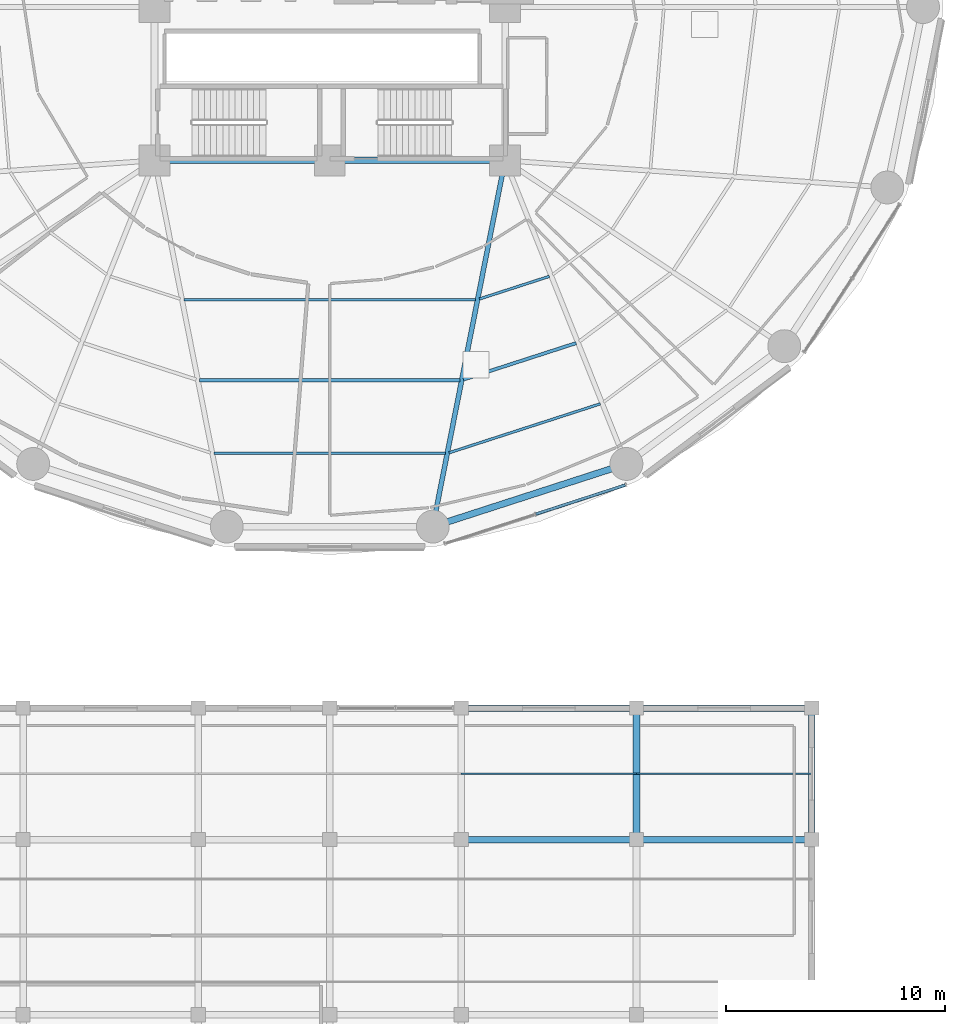
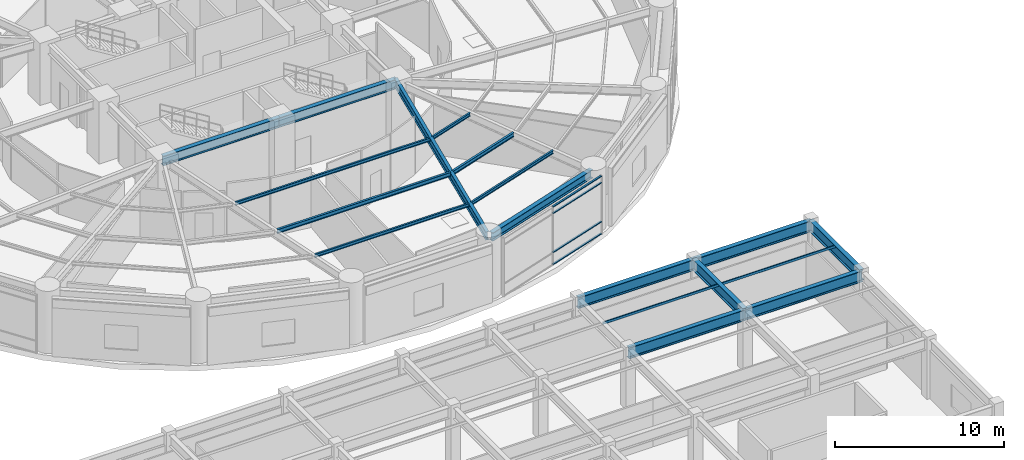
# One storey, part 18 of 46: 16 beams, 6 members, 1 element without a shape of its own.
"""IFC4 building model written with IfcOpenShell, lengths in metres."""

import ifcopenshell
import ifcopenshell.guid

model = None  # the IFC model being written
_history = None  # IfcOwnerHistory: only IFC2X3 demands one
_inside = {}  # id of a spatial element -> (the spatial element, [elements in it])
_under = {}  # id of a project, library or spatial element -> (it, [spatial elements below it])
_declared = {}  # id of a project -> (the project, [libraries it declares])
_typed = {}  # id of a type object -> (the type object, [elements of that type])
_made_of = {}  # id of a material, layer set ... -> (it, [elements and type objects made of it])


def new_model(schema):
    """Start an empty IFC model of exactly this schema.

    Asked for "IFC4X3", IfcOpenShell would pick the latest addendum, in which some entities
    have other attributes; the version numbers below select the first issue.
    IFC2X3 requires an IfcOwnerHistory on every rooted entity: one is made here for all.
    """
    global model, _history
    if schema == "IFC4X3":
        model = ifcopenshell.file(schema_version=(4, 3, 0, 0))
    else:
        model = ifcopenshell.file(schema=schema)
    _inside.clear()
    _under.clear()
    _declared.clear()
    _typed.clear()
    _made_of.clear()
    _history = None
    if model.schema == "IFC2X3":
        org = make("IfcOrganization", Name="unknown")
        user = make(
            "IfcPersonAndOrganization",
            ThePerson=make("IfcPerson", FamilyName="unknown"),
            TheOrganization=org,
        )
        app = make(
            "IfcApplication",
            ApplicationDeveloper=org,
            Version="unknown",
            ApplicationFullName="unknown",
            ApplicationIdentifier="unknown",
        )
        _history = make(
            "IfcOwnerHistory",
            OwningUser=user,
            OwningApplication=app,
            ChangeAction="ADDED",
            CreationDate=0,
        )
    return model


def make(cls, **values):
    """One entity of the class cls with the attributes given. An attribute that is None is left unset."""
    return model.create_entity(
        cls, **{name: value for name, value in values.items() if value is not None}
    )


def rooted(cls, **values):
    """An entity with a GlobalId (a new one), such as an element, a storey or a relation."""
    return make(cls, GlobalId=ifcopenshell.guid.new(), OwnerHistory=_history, **values)


def si_unit(unit_type, name, prefix=None):
    """IfcSIUnit, for example si_unit("LENGTHUNIT", "METRE", prefix="MILLI")."""
    return make("IfcSIUnit", UnitType=unit_type, Prefix=prefix, Name=name)


def assignment(units):
    """IfcUnitAssignment: the units of a project."""
    return None if units is None else make("IfcUnitAssignment", Units=units)


def point(xyz):
    """IfcCartesianPoint."""
    return None if xyz is None else make("IfcCartesianPoint", Coordinates=xyz)


def direction(xyz):
    """IfcDirection."""
    return None if xyz is None else make("IfcDirection", DirectionRatios=xyz)


def frame(location, z_axis=None, x_axis=None):
    """IfcAxis2Placement3D, a coordinate frame: its origin and axes. An axis left out is left unset."""
    return make(
        "IfcAxis2Placement3D",
        Location=point(location),
        Axis=direction(z_axis),
        RefDirection=direction(x_axis),
    )


def frame_2d(location, x_axis=None):
    """IfcAxis2Placement2D, a coordinate frame in the plane: its origin and x axis."""
    return make(
        "IfcAxis2Placement2D", Location=point(location), RefDirection=direction(x_axis)
    )


def origin():
    """The frame at (0, 0, 0) with its axes left unset."""
    return frame((0.0, 0.0, 0.0))


def origin_2d():
    """The frame at (0, 0) in the plane with its x axis left unset."""
    return frame_2d((0.0, 0.0))


def place(relative_to, where):
    """IfcLocalPlacement: puts the frame where relative to a parent placement (None: the world)."""
    return make(
        "IfcLocalPlacement", PlacementRelTo=relative_to, RelativePlacement=where
    )


def context(
    kind, dimensions, precision=None, world=None, true_north=None, identifier=None
):
    """IfcGeometricRepresentationContext, for example the 3D "Model" context."""
    return make(
        "IfcGeometricRepresentationContext",
        ContextIdentifier=identifier,
        ContextType=kind,
        CoordinateSpaceDimension=dimensions,
        Precision=precision,
        WorldCoordinateSystem=world,
        TrueNorth=true_north,
    )


def subcontext(parent, identifier, kind, view, scale=None):
    """IfcGeometricRepresentationSubContext, for example "Body" below "Model"."""
    return make(
        "IfcGeometricRepresentationSubContext",
        ContextIdentifier=identifier,
        ContextType=kind,
        ParentContext=parent,
        TargetScale=scale,
        TargetView=view,
    )


def project(units=None, contexts=None):
    """IfcProject with its units and contexts."""
    return rooted(
        "IfcProject",
        Name="project",
        RepresentationContexts=contexts,
        UnitsInContext=assignment(units),
    )


def spatial(cls, under=None, at=None, **own):
    """A site, building, storey or space (cls), placed at a placement, below another one or the project."""
    s = rooted(cls, ObjectPlacement=at, **own)
    if under is not None:
        _under.setdefault(under.id(), (under, []))[1].append(s)
    return s


def profile(cls, at=None, kind="AREA", **sizes):
    """A parametric profile (cls). Its sizes go by their IFC names, for example OverallWidth=200.0."""
    return make(cls, ProfileType=kind, Position=at, **sizes)


def hollow_rectangle(**sizes):
    """IfcRectangleHollowProfileDef."""
    return profile("IfcRectangleHollowProfileDef", **sizes)


def i_section(**sizes):
    """IfcIShapeProfileDef."""
    return profile("IfcIShapeProfileDef", **sizes)


def extrude(swept, where, along, depth):
    """IfcExtrudedAreaSolid: the profile swept, set in the frame where, extruded along a direction by depth."""
    return make(
        "IfcExtrudedAreaSolid",
        SweptArea=swept,
        Position=where,
        ExtrudedDirection=direction(along),
        Depth=depth,
    )


def shape(context_of_items, identifier, shape_type, items):
    """IfcShapeRepresentation: the items that make up one representation, for example the "Body"."""
    return make(
        "IfcShapeRepresentation",
        ContextOfItems=context_of_items,
        RepresentationIdentifier=identifier,
        RepresentationType=shape_type,
        Items=items,
    )


def material(Name=None, Category=None):
    """IfcMaterial."""
    return make("IfcMaterial", Name=Name, Category=Category)


def layer(
    of_material, thickness, ventilated=None, Name=None, Category=None, Priority=None
):
    """IfcMaterialLayer: one layer of a wall or slab, of a material (None: an air gap)."""
    return make(
        "IfcMaterialLayer",
        Material=of_material,
        LayerThickness=thickness,
        IsVentilated=ventilated,
        Name=Name,
        Category=Category,
        Priority=Priority,
    )


def layer_set(layers, Name=None):
    """IfcMaterialLayerSet."""
    return make("IfcMaterialLayerSet", MaterialLayers=layers, LayerSetName=Name)


def material_profile(
    of_material, cross_section, Name=None, Category=None, Priority=None
):
    """IfcMaterialProfile: a cross section and its material."""
    return make(
        "IfcMaterialProfile",
        Name=Name,
        Material=of_material,
        Profile=cross_section,
        Priority=Priority,
        Category=Category,
    )


def profile_set(profiles, Name=None, composite=None):
    """IfcMaterialProfileSet."""
    return make(
        "IfcMaterialProfileSet",
        Name=Name,
        MaterialProfiles=profiles,
        CompositeProfile=composite,
    )


def made_of(thing, what):
    """Note that an element or type object is made of a material, layer set ...; save() writes the relation."""
    if what is not None:
        _made_of.setdefault(what.id(), (what, []))[1].append(thing)
    return thing


def type_object(cls, material=None, **own):
    """A type object (cls), such as IfcWallType, which elements share."""
    return made_of(rooted(cls, **own), material)


def element(
    cls,
    number,
    at=None,
    inside=None,
    cuts=None,
    type_object=None,
    material=None,
    context=None,
    identifier="Body",
    shape_type=None,
    held_by="IfcProductDefinitionShape",
    body=None,
    shapes=None,
    **own,
):
    """One element of the class cls, such as IfcWall. Its Tag is "e" and its number.

    at: its placement. inside: the storey or other place that contains it. cuts: it is an
    opening in that element (IfcRelVoidsElement). A single representation is given by context,
    identifier, shape_type and body (its items); several are given by shapes. held_by: the class
    of the entity that holds the representations. save() writes the other relations.
    """
    e = rooted(cls, Tag="e%d" % number, ObjectPlacement=at, **own)
    if body is not None:
        shapes = [shape(context, identifier, shape_type, body)]
    if shapes is not None:
        e.Representation = make(held_by, Representations=shapes)
    if inside is not None:
        _inside.setdefault(inside.id(), (inside, []))[1].append(e)
    if cuts is not None:
        rooted(
            "IfcRelVoidsElement", RelatingBuildingElement=cuts, RelatedOpeningElement=e
        )
    if type_object is not None:
        _typed.setdefault(type_object.id(), (type_object, []))[1].append(e)
    return made_of(e, material)


def aggregate(whole, parts):
    """IfcRelAggregates: a whole, such as a stair, and the parts it consists of."""
    return rooted("IfcRelAggregates", RelatingObject=whole, RelatedObjects=parts)


def save(model, path):
    """Write the relations noted so far, then the file.

    IfcRelAggregates (storeys below a building ...), IfcRelContainedInSpatialStructure (elements
    in a storey), IfcRelDefinesByType, IfcRelAssociatesMaterial and IfcRelDeclares: one each for
    every whole, place, type object, material and project.
    """
    for whole, parts in _under.values():
        aggregate(whole, parts)
    for where, things in _inside.values():
        rooted(
            "IfcRelContainedInSpatialStructure",
            RelatedElements=things,
            RelatingStructure=where,
        )
    for kind, things in _typed.values():
        rooted("IfcRelDefinesByType", RelatedObjects=things, RelatingType=kind)
    for what, things in _made_of.values():
        rooted("IfcRelAssociatesMaterial", RelatedObjects=things, RelatingMaterial=what)
    for by, libraries in _declared.values():
        rooted("IfcRelDeclares", RelatingContext=by, RelatedDefinitions=libraries)
    model.write(path)


model = new_model("IFC4")

# Units and contexts
model_context = context("Model", 3, precision=1e-05, world=origin(), true_north=direction((0.0, 1.0)))
body_context = subcontext(model_context, "Body", "Model", "MODEL_VIEW")
ifc_project = project(units=[si_unit("LENGTHUNIT", "METRE"), si_unit("AREAUNIT", "SQUARE_METRE"), si_unit("VOLUMEUNIT", "CUBIC_METRE"), si_unit("PLANEANGLEUNIT", "RADIAN"), si_unit("MASSUNIT", "GRAM", prefix="KILO")], contexts=[model_context])

# Site, building, storey
site_placement = place(None, origin())
site = spatial("IfcSite", under=ifc_project, at=site_placement, CompositionType="ELEMENT")
building_placement = place(site_placement, origin())
building = spatial("IfcBuilding", under=site, at=building_placement, Name="Kelanora Arch Commons", CompositionType="ELEMENT")
storey_placement = place(building_placement, frame((0.0, 0.0, 18.0)))
storey = spatial("IfcBuildingStorey", under=building, at=storey_placement, Name="L04", CompositionType="ELEMENT", Elevation=18.0)

# Beams
ifc_material_1 = material(Name="Steel S355", Category="steel")
ifc_material_profile_1 = material_profile(ifc_material_1, i_section(OverallWidth=0.300048828125, OverallDepth=0.699951171875, WebThickness=0.01708984375, FlangeThickness=0.031982421875, FilletRadius=0.027099609375, at=origin_2d()), Name="HEB700")
ifc_profile_set_1 = profile_set([ifc_material_profile_1], Name="Steel S355")
beam_type_1 = type_object("IfcBeamType", Name="BM-CORE-HDR", PredefinedType="BEAM", material=ifc_profile_set_1)
for number, where, z_axis, x_axis, name in (
    (1, (66.0, 51.0, 3.889892578125), (1.0, 0.0, 0.0), (0.0, 1.0, 0.0), "Core Header Beam 01 L04"),
    (2, (74.0, 51.0, 3.889892578125), (1.0, 0.0, 0.0), (0.0, 1.0, 0.0), "Core Header Beam 02 L04"),
):
    element("IfcBeam", number, at=place(storey_placement, frame(where, z_axis=z_axis, x_axis=x_axis)), inside=storey, type_object=beam_type_1, Name=name, PredefinedType="BEAM", context=body_context, shape_type="SweptSolid", body=[
        extrude(i_section(OverallWidth=0.300048828125, OverallDepth=0.699951171875, WebThickness=0.01708984375, FlangeThickness=0.031982421875, FilletRadius=0.027099609375, at=origin_2d()), origin(), (0.0, 0.0, 1.0), 8.0),
    ])
ifc_material_profile_2 = material_profile(ifc_material_1, i_section(OverallWidth=0.14990234375, OverallDepth=0.300048828125, WebThickness=0.007080078125, FlangeThickness=0.0107421875, FilletRadius=0.014892578125, at=origin_2d()), Name="IPE300")
ifc_profile_set_2 = profile_set([ifc_material_profile_2], Name="Steel S355")
beam_type_2 = type_object("IfcBeamType", Name="BM-JST-01", PredefinedType="JOIST", material=ifc_profile_set_2)
beam_1_placement = place(storey_placement, frame((68.063720703125, 40.971435546875, 4.090087890625), z_axis=(1.0, 0.0, 0.0), x_axis=(0.0, 1.0, 0.0)))
element("IfcBeam", 3, at=beam_1_placement, inside=storey, type_object=beam_type_2, Name="Secondary Chord Joist BJB-26 L04", PredefinedType="JOIST", context=body_context, shape_type="SweptSolid", body=[
    extrude(i_section(OverallWidth=0.14990234375, OverallDepth=0.300048828125, WebThickness=0.007080078125, FlangeThickness=0.0107421875, FilletRadius=0.014892578125, at=origin_2d()), origin(), (0.0, 0.0, 1.0), 11.87255859375),
])
beam_2_placement = place(storey_placement, frame((80.102294921875, 40.997802734375, 4.090087890625), z_axis=(0.951412209627, 0.307920131482, 0.0), x_axis=(-0.307920131482, 0.951412209627, 0.0)))
element("IfcBeam", 4, at=beam_2_placement, inside=storey, type_object=beam_type_2, Name="Secondary Chord Joist BJB-28 L04", PredefinedType="JOIST", context=body_context, shape_type="SweptSolid", body=[
    extrude(i_section(OverallWidth=0.14990234375, OverallDepth=0.300048828125, WebThickness=0.007080078125, FlangeThickness=0.0107421875, FilletRadius=0.014892578125, at=origin_2d()), origin(), (0.0, 0.0, 1.0), 5.4033203125),
])
ifc_material_profile_3 = material_profile(ifc_material_1, i_section(OverallWidth=0.1201171875, OverallDepth=0.239990234375, WebThickness=0.006103515625, FlangeThickness=0.009765625, FilletRadius=0.014892578125, at=origin_2d()), Name="IPE240")
ifc_profile_set_3 = profile_set([ifc_material_profile_3], Name="Steel S355")
beam_type_3 = type_object("IfcBeamType", Name="BM-JST-02", PredefinedType="JOIST", material=ifc_profile_set_3)
beam_3_placement = place(storey_placement, frame((67.338134765625, 44.648681640625, 4.1201171875), z_axis=(1.0, 0.0, 0.0), x_axis=(0.0, 1.0, 0.0)))
element("IfcBeam", 5, at=beam_3_placement, inside=storey, type_object=beam_type_3, Name="Secondary Chord Joist BJA-26 L04", PredefinedType="JOIST", context=body_context, shape_type="SweptSolid", body=[
    extrude(i_section(OverallWidth=0.1201171875, OverallDepth=0.239990234375, WebThickness=0.006103515625, FlangeThickness=0.009765625, FilletRadius=0.014892578125, at=origin_2d()), origin(), (0.0, 0.0, 1.0), 13.32373046875),
])
beam_4_placement = place(storey_placement, frame((68.72314453125, 37.628662109375, 4.1201171875), z_axis=(1.0, 0.0, 0.0), x_axis=(0.0, 1.0, 0.0)))
element("IfcBeam", 6, at=beam_4_placement, inside=storey, type_object=beam_type_3, Name="Secondary Chord Joist BJC-26 L04", PredefinedType="JOIST", context=body_context, shape_type="SweptSolid", body=[
    extrude(i_section(OverallWidth=0.1201171875, OverallDepth=0.239990234375, WebThickness=0.006103515625, FlangeThickness=0.009765625, FilletRadius=0.014892578125, at=origin_2d()), origin(), (0.0, 0.0, 1.0), 10.5537109375),
])
beam_5_placement = place(storey_placement, frame((80.827880859375, 44.6748046875, 4.1201171875), z_axis=(0.951422608074, 0.30788800049, 0.0), x_axis=(-0.30788800049, 0.951422608074, 0.0)))
element("IfcBeam", 7, at=beam_5_placement, inside=storey, type_object=beam_type_3, Name="Secondary Chord Joist BJA-28 L04", PredefinedType="JOIST", context=body_context, shape_type="SweptSolid", body=[
    extrude(i_section(OverallWidth=0.1201171875, OverallDepth=0.239990234375, WebThickness=0.006103515625, FlangeThickness=0.009765625, FilletRadius=0.014892578125, at=origin_2d()), origin(), (0.0, 0.0, 1.0), 3.359619140625),
])
beam_6_placement = place(storey_placement, frame((79.44287109375, 37.65478515625, 4.1201171875), z_axis=(0.951410915705, 0.307924129418, 0.0), x_axis=(-0.307924129418, 0.951410915705, 0.0)))
element("IfcBeam", 8, at=beam_6_placement, inside=storey, type_object=beam_type_3, Name="Secondary Chord Joist BJC-28 L04", PredefinedType="JOIST", context=body_context, shape_type="SweptSolid", body=[
    extrude(i_section(OverallWidth=0.1201171875, OverallDepth=0.239990234375, WebThickness=0.006103515625, FlangeThickness=0.009765625, FilletRadius=0.014892578125, at=origin_2d()), origin(), (0.0, 0.0, 1.0), 7.260986328125),
])
ifc_material_profile_4 = material_profile(ifc_material_1, i_section(OverallWidth=0.300048828125, OverallDepth=0.800048828125, WebThickness=0.017578125, FlangeThickness=0.032958984375, FilletRadius=0.030029296875, at=origin_2d()), Name="HEB800")
ifc_profile_set_4 = profile_set([ifc_material_profile_4], Name="Steel S355")
beam_type_4 = type_object("IfcBeamType", Name="BM-MKT-ROOF", PredefinedType="USERDEFINED", material=ifc_profile_set_4)
for number, where, z_axis, x_axis, name in (
    (9, (80.0, 20.0, 3.860107421875), (1.0, 0.0, 0.0), (0.0, 1.0, 0.0), "Market/Basement Frame Beam 133 L04"),
    (10, (80.0, 26.0, 3.860107421875), (1.0, 0.0, 0.0), (0.0, 1.0, 0.0), "Market/Basement Frame Beam 135 L04"),
    (11, (88.0, 20.0, 3.860107421875), (1.0, 0.0, 0.0), (0.0, 1.0, 0.0), "Market/Basement Frame Beam 139 L04"),
):
    element("IfcBeam", number, at=place(storey_placement, frame(where, z_axis=z_axis, x_axis=x_axis)), inside=storey, type_object=beam_type_4, Name=name, ObjectType="TRANSFER_GIRDER", PredefinedType="USERDEFINED", context=body_context, shape_type="SweptSolid", body=[
        extrude(i_section(OverallWidth=0.300048828125, OverallDepth=0.800048828125, WebThickness=0.017578125, FlangeThickness=0.032958984375, FilletRadius=0.030029296875, at=origin_2d()), origin(), (0.0, 0.0, 1.0), 8.0),
    ])
beam_7_placement = place(storey_placement, frame((88.0, 20.0, 3.860107421875), z_axis=(0.0, 1.0, 0.0), x_axis=(-1.0, 0.0, 0.0)))
element("IfcBeam", 12, at=beam_7_placement, inside=storey, type_object=beam_type_4, Name="Market/Basement Frame Beam 140 L04", ObjectType="TRANSFER_GIRDER", PredefinedType="USERDEFINED", context=body_context, shape_type="SweptSolid", body=[
    extrude(i_section(OverallWidth=0.300048828125, OverallDepth=0.800048828125, WebThickness=0.017578125, FlangeThickness=0.032958984375, FilletRadius=0.030029296875, at=origin_2d()), origin(), (0.0, 0.0, 1.0), 6.0),
])
beam_8_placement = place(storey_placement, frame((88.0, 26.0, 3.860107421875), z_axis=(1.0, 0.0, 0.0), x_axis=(0.0, 1.0, 0.0)))
element("IfcBeam", 13, at=beam_8_placement, inside=storey, type_object=beam_type_4, Name="Market/Basement Frame Beam 141 L04", ObjectType="TRANSFER_GIRDER", PredefinedType="USERDEFINED", context=body_context, shape_type="SweptSolid", body=[
    extrude(i_section(OverallWidth=0.300048828125, OverallDepth=0.800048828125, WebThickness=0.017578125, FlangeThickness=0.032958984375, FilletRadius=0.030029296875, at=origin_2d()), origin(), (0.0, 0.0, 1.0), 8.0),
])
beam_9_placement = place(storey_placement, frame((96.0, 20.0, 3.860107421875), z_axis=(0.0, 1.0, 0.0), x_axis=(-1.0, 0.0, 0.0)))
element("IfcBeam", 14, at=beam_9_placement, inside=storey, type_object=beam_type_4, Name="Market/Basement Frame Beam 144 L04", ObjectType="TRANSFER_GIRDER", PredefinedType="USERDEFINED", context=body_context, shape_type="SweptSolid", body=[
    extrude(i_section(OverallWidth=0.300048828125, OverallDepth=0.800048828125, WebThickness=0.017578125, FlangeThickness=0.032958984375, FilletRadius=0.030029296875, at=origin_2d()), origin(), (0.0, 0.0, 1.0), 6.0),
])
ifc_material_profile_5 = material_profile(ifc_material_1, i_section(OverallWidth=0.219970703125, OverallDepth=0.60009765625, WebThickness=0.011962890625, FlangeThickness=0.01904296875, FilletRadius=0.02392578125, at=origin_2d()), Name="IPE600")
ifc_profile_set_5 = profile_set([ifc_material_profile_5], Name="Steel S355")
beam_type_5 = type_object("IfcBeamType", Name="BM-RAD-Z1", PredefinedType="BEAM", material=ifc_profile_set_5)
beam_10_placement = place(storey_placement, frame((82.0, 51.0, 3.93994140625), z_axis=(-0.193555256292, -0.981089375522, 0.0), x_axis=(0.981089375522, -0.193555256292, 0.0)))
element("IfcBeam", 15, at=beam_10_placement, inside=storey, type_object=beam_type_5, Name="Radial Floor Girder BR-28 L04", PredefinedType="BEAM", context=body_context, shape_type="SweptSolid", body=[
    extrude(i_section(OverallWidth=0.219970703125, OverallDepth=0.60009765625, WebThickness=0.011962890625, FlangeThickness=0.01904296875, FilletRadius=0.02392578125, at=origin_2d()), origin(), (0.0, 0.0, 1.0), 16.81640625),
])
ifc_material_profile_6 = material_profile(ifc_material_1, i_section(OverallWidth=0.300048828125, OverallDepth=0.60009765625, WebThickness=0.015380859375, FlangeThickness=0.030029296875, FilletRadius=0.027099609375, at=origin_2d()), Name="HEB600")
ifc_profile_set_6 = profile_set([ifc_material_profile_6], Name="Steel S355")
beam_type_6 = type_object("IfcBeamType", Name="BM-SPN-Z1", PredefinedType="SPANDREL", material=ifc_profile_set_6)
beam_11_placement = place(storey_placement, frame((78.91162109375, 34.353515625, 3.93994140625), z_axis=(0.951411479564, 0.307922387224, 0.0), x_axis=(-0.307922387224, 0.951411479564, 0.0)))
element("IfcBeam", 16, at=beam_11_placement, inside=storey, type_object=beam_type_6, Name="Perimeter Spandrel Beam BS-28 L04", PredefinedType="SPANDREL", context=body_context, shape_type="SweptSolid", body=[
    extrude(i_section(OverallWidth=0.300048828125, OverallDepth=0.60009765625, WebThickness=0.015380859375, FlangeThickness=0.030029296875, FilletRadius=0.027099609375, at=origin_2d()), origin(), (0.0, 0.0, 1.0), 8.84912109375),
])

# Curtain wall, members
ifc_material_2 = material(Name="Terracotta ceramic-fritted low-E glass and aluminium", Category="masonry")
ifc_layer = layer(ifc_material_2, 0.2099609375)
ifc_layer_set = layer_set([ifc_layer], Name="Terracotta ceramic-fritted low-E glass and aluminium")
curtain_wall_type = type_object("IfcCurtainWallType", Name="CW-SYS-04", PredefinedType="NOTDEFINED", material=ifc_layer_set)
curtain_wall_placement = place(storey_placement, origin())
curtain_wall = element("IfcCurtainWall", 17, at=curtain_wall_placement, inside=storey, type_object=curtain_wall_type, Name="Unitised Curtain Wall L04-B14", PredefinedType="NOTDEFINED")
ifc_material_3 = material(Name="Powder-coated aluminium terracotta", Category="masonry")
ifc_material_profile_7 = material_profile(ifc_material_3, hollow_rectangle(XDim=0.139892578125, YDim=0.06005859375, WallThickness=0.0048828125, InnerFilletRadius=0.0048828125, OuterFilletRadius=0.010009765625, at=origin_2d()), Name="CWT140x60")
ifc_profile_set_7 = profile_set([ifc_material_profile_7], Name="Powder-coated aluminium terracotta")
member_type_1 = type_object("IfcMemberType", Name="CWT-HVY", PredefinedType="USERDEFINED", material=ifc_profile_set_7)
member_1_placement = place(storey_placement, frame((83.411865234375, 34.8583984375, 0.030029296875), z_axis=(0.951038256166, 0.309073187624, 0.0), x_axis=(-0.309073187624, 0.951038256166, 0.0)))
member_1 = element("IfcMember", 18, at=member_1_placement, type_object=member_type_1, Name="CW-04 transom 2.1", ObjectType="TRANSOM", PredefinedType="USERDEFINED", context=body_context, shape_type="SweptSolid", body=[
    extrude(hollow_rectangle(XDim=0.139892578125, YDim=0.06005859375, WallThickness=0.0048828125, InnerFilletRadius=0.0048828125, OuterFilletRadius=0.010009765625, at=origin_2d()), origin(), (0.0, 0.0, 1.0), 4.284423828125),
])
member_2_placement = place(storey_placement, frame((83.411865234375, 34.8583984375, 0.89990234375), z_axis=(0.951038256166, 0.309073187624, 0.0), x_axis=(-0.309073187624, 0.951038256166, 0.0)))
member_2 = element("IfcMember", 19, at=member_2_placement, type_object=member_type_1, Name="CW-04 transom 2.2", ObjectType="TRANSOM", PredefinedType="USERDEFINED", context=body_context, shape_type="SweptSolid", body=[
    extrude(hollow_rectangle(XDim=0.139892578125, YDim=0.06005859375, WallThickness=0.0048828125, InnerFilletRadius=0.0048828125, OuterFilletRadius=0.010009765625, at=origin_2d()), origin(), (0.0, 0.0, 1.0), 4.284423828125),
])
member_3_placement = place(storey_placement, frame((83.411865234375, 34.8583984375, 3.72509765625), z_axis=(0.951038256166, 0.309073187624, 0.0), x_axis=(-0.309073187624, 0.951038256166, 0.0)))
member_3 = element("IfcMember", 20, at=member_3_placement, type_object=member_type_1, Name="CW-04 transom 2.3", ObjectType="TRANSOM", PredefinedType="USERDEFINED", context=body_context, shape_type="SweptSolid", body=[
    extrude(hollow_rectangle(XDim=0.139892578125, YDim=0.06005859375, WallThickness=0.0048828125, InnerFilletRadius=0.0048828125, OuterFilletRadius=0.010009765625, at=origin_2d()), origin(), (0.0, 0.0, 1.0), 4.284423828125),
])
member_4_placement = place(storey_placement, frame((83.411865234375, 34.8583984375, 4.195068359375), z_axis=(0.951038256166, 0.309073187624, 0.0), x_axis=(-0.309073187624, 0.951038256166, 0.0)))
member_4 = element("IfcMember", 21, at=member_4_placement, type_object=member_type_1, Name="CW-04 transom 2.4", ObjectType="TRANSOM", PredefinedType="USERDEFINED", context=body_context, shape_type="SweptSolid", body=[
    extrude(hollow_rectangle(XDim=0.139892578125, YDim=0.06005859375, WallThickness=0.0048828125, InnerFilletRadius=0.0048828125, OuterFilletRadius=0.010009765625, at=origin_2d()), origin(), (0.0, 0.0, 1.0), 4.284423828125),
])
aggregate(curtain_wall, [member_1, member_2, member_3, member_4])

# Members
ifc_material_profile_8 = material_profile(ifc_material_1, hollow_rectangle(XDim=0.070068359375, YDim=0.179931640625, WallThickness=0.0048828125, InnerFilletRadius=0.0048828125, OuterFilletRadius=0.010009765625, at=origin_2d()), Name="RHS180x70x5")
ifc_profile_set_8 = profile_set([ifc_material_profile_8], Name="Steel S355")
member_type_2 = type_object("IfcMemberType", Name="MEM-MKT-PURLIN", PredefinedType="PURLIN", material=ifc_profile_set_8)
for number, where, z_axis, x_axis, name in (
    (22, (80.0, 23.0, 4.14990234375), (1.0, 0.0, 0.0), (0.0, 1.0, 0.0), "Market Hall Roof Purlin 35"),
    (23, (88.0, 23.0, 4.14990234375), (1.0, 0.0, 0.0), (0.0, 1.0, 0.0), "Market Hall Roof Purlin 36"),
):
    element("IfcMember", number, at=place(storey_placement, frame(where, z_axis=z_axis, x_axis=x_axis)), inside=storey, type_object=member_type_2, Name=name, PredefinedType="PURLIN", context=body_context, shape_type="SweptSolid", body=[
        extrude(hollow_rectangle(XDim=0.070068359375, YDim=0.179931640625, WallThickness=0.0048828125, InnerFilletRadius=0.0048828125, OuterFilletRadius=0.010009765625, at=origin_2d()), origin(), (0.0, 0.0, 1.0), 8.0),
    ])

save(model, "model.ifc")
